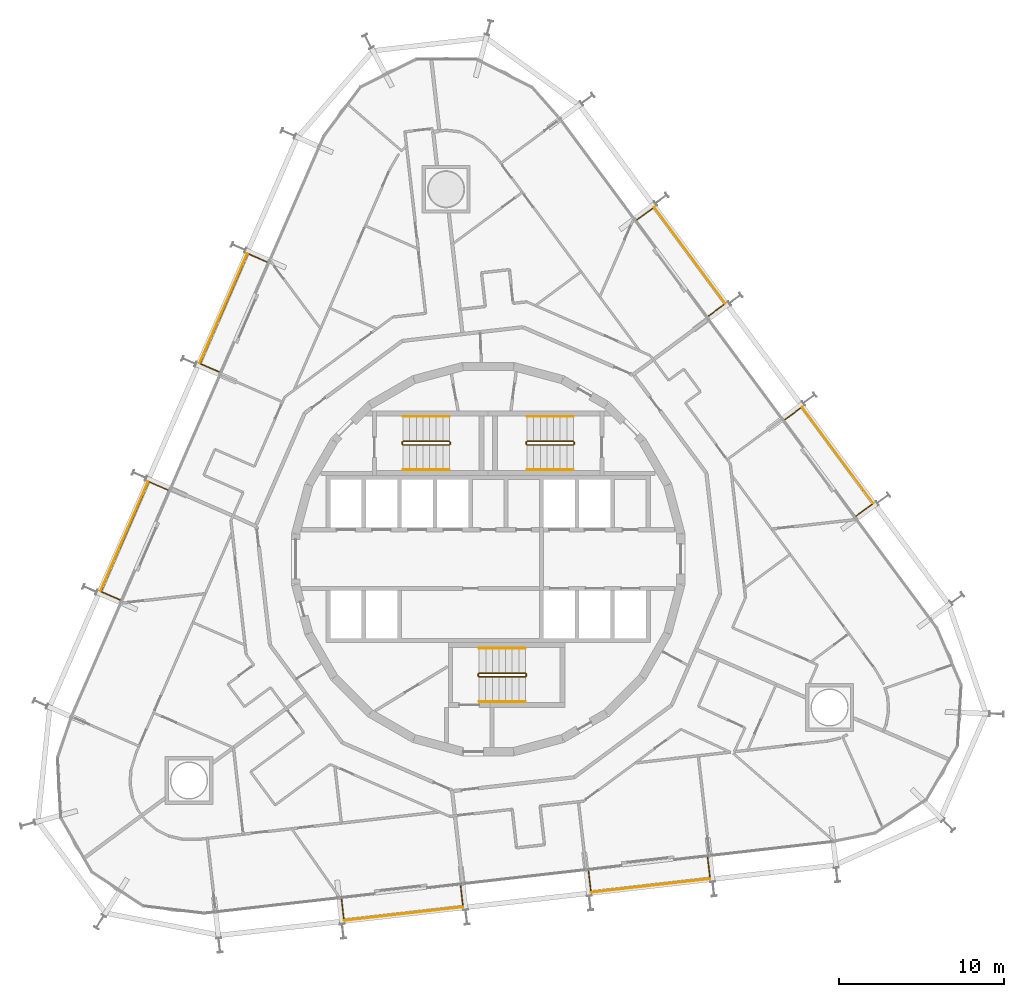
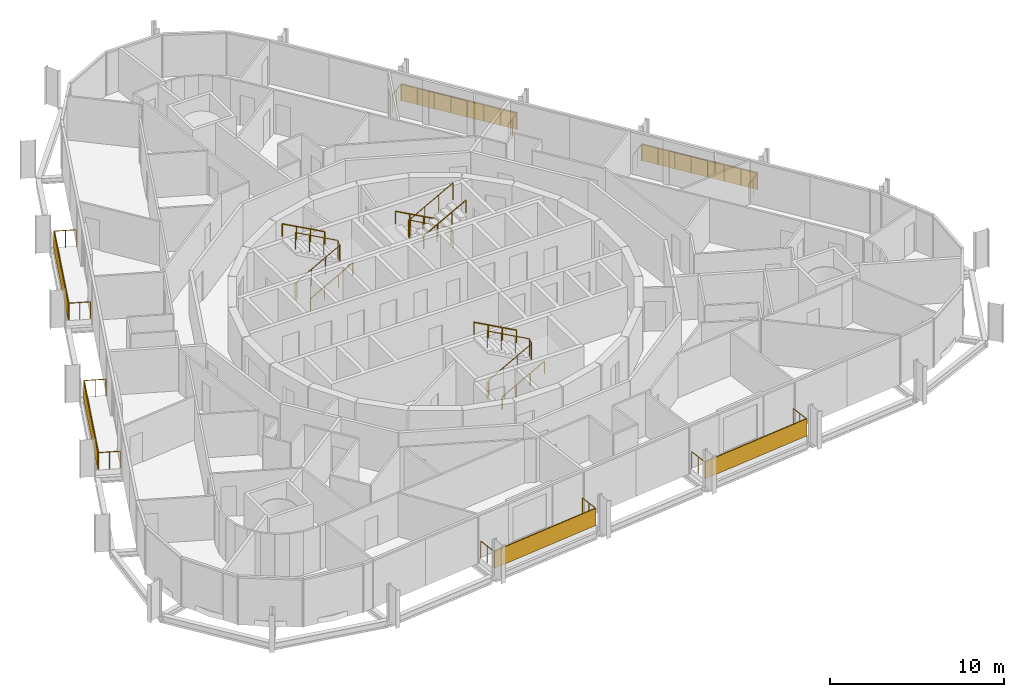
# One storey, part 23 of 23: 15 railings, 6 shading devices.
"""IFC4 building model written with IfcOpenShell, lengths in metres."""

from ifc_helpers import new_model, si_unit, direction, frame, origin, origin_2d, place, context, subcontext, project, spatial, rectangle, circle, extrude, material, layer, layer_set, type_object, element, save


model = new_model("IFC4")

# Units and contexts
model_context = context("Model", 3, precision=1e-05, world=origin(), true_north=direction((0.0, 1.0)))
body_context = subcontext(model_context, "Body", "Model", "MODEL_VIEW")
ifc_project = project(units=[si_unit("LENGTHUNIT", "METRE"), si_unit("AREAUNIT", "SQUARE_METRE"), si_unit("VOLUMEUNIT", "CUBIC_METRE"), si_unit("PLANEANGLEUNIT", "RADIAN"), si_unit("MASSUNIT", "GRAM", prefix="KILO")], contexts=[model_context])

# Site, building, storey
site_placement = place(None, origin())
site = spatial("IfcSite", under=ifc_project, at=site_placement, CompositionType="ELEMENT")
building_placement = place(site_placement, origin())
building = spatial("IfcBuilding", under=site, at=building_placement, Name="Spindle Arch Residences", CompositionType="ELEMENT")
storey_placement = place(building_placement, frame((0.0, 0.0, 104.699951171875)))
storey = spatial("IfcBuildingStorey", under=building, at=storey_placement, Name="L25", CompositionType="ELEMENT", Elevation=104.699951171875)

# Railings
ifc_material_1 = material(Name="Bronze anodised aluminium guard with glass infill", Category="aluminium")
railing_type_1 = type_object("IfcRailingType", Name="Balcony guard 1200", PredefinedType="GUARDRAIL", material=ifc_material_1)
railing_1_placement = place(storey_placement, frame((6.07080078125, -18.881591796875, 0.0)))
element("IfcRailing", 1, at=railing_1_placement, inside=storey, type_object=railing_type_1, Name="Guard L25 bay 1", PredefinedType="GUARDRAIL", context=body_context, shape_type="SweptSolid", body=[
    extrude(circle(Radius=0.02392578125, at=origin_2d()), frame((0.0, 0.0, 1.17578125), z_axis=(0.11328218126, -0.993562855289, 0.0), x_axis=(0.993562855289, 0.11328218126, 0.0)), (0.0, 0.0, 1.0), 1.25),
    extrude(circle(Radius=0.02392578125, at=origin_2d()), frame((0.1416015625, -1.241943359375, 1.17578125), z_axis=(0.993572236179, 0.113199874095, 0.0), x_axis=(-0.113199874095, 0.993572236179, 0.0)), (0.0, 0.0, 1.0), 7.248779296875),
    extrude(circle(Radius=0.02392578125, at=origin_2d()), frame((7.34375, -0.42138671875, 1.17578125), z_axis=(-0.113089367196, 0.993584820248, 0.0), x_axis=(-0.993584820248, -0.113089367196, 0.0)), (0.0, 0.0, 1.0), 1.25),
    extrude(circle(Radius=0.02099609375, at=origin_2d()), origin(), (0.0, 0.0, 1.0), 1.15185546875),
    extrude(circle(Radius=0.02099609375, at=origin_2d()), frame((0.07080078125, -0.62109375, 0.0)), (0.0, 0.0, 1.0), 1.15185546875),
    extrude(circle(Radius=0.02099609375, at=origin_2d()), frame((0.1416015625, -1.241943359375, 0.0)), (0.0, 0.0, 1.0), 1.15185546875),
    extrude(circle(Radius=0.02099609375, at=origin_2d()), frame((1.17041015625, -1.124755859375, 0.0)), (0.0, 0.0, 1.0), 1.15185546875),
    extrude(circle(Radius=0.02099609375, at=origin_2d()), frame((2.199462890625, -1.007568359375, 0.0)), (0.0, 0.0, 1.0), 1.15185546875),
    extrude(circle(Radius=0.02099609375, at=origin_2d()), frame((3.228271484375, -0.890380859375, 0.0)), (0.0, 0.0, 1.0), 1.15185546875),
    extrude(circle(Radius=0.02099609375, at=origin_2d()), frame((4.257080078125, -0.77294921875, 0.0)), (0.0, 0.0, 1.0), 1.15185546875),
    extrude(circle(Radius=0.02099609375, at=origin_2d()), frame((5.285888671875, -0.65576171875, 0.0)), (0.0, 0.0, 1.0), 1.15185546875),
    extrude(circle(Radius=0.02099609375, at=origin_2d()), frame((6.31494140625, -0.53857421875, 0.0)), (0.0, 0.0, 1.0), 1.15185546875),
    extrude(circle(Radius=0.02099609375, at=origin_2d()), frame((7.34375, -0.42138671875, 0.0)), (0.0, 0.0, 1.0), 1.15185546875),
    extrude(circle(Radius=0.02099609375, at=origin_2d()), frame((7.27294921875, 0.19970703125, 0.0)), (0.0, 0.0, 1.0), 1.15185546875),
    extrude(circle(Radius=0.02099609375, at=origin_2d()), frame((7.202392578125, 0.820556640625, 0.0)), (0.0, 0.0, 1.0), 1.15185546875),
])
railing_2_placement = place(storey_placement, frame((22.26123046875, 2.6103515625, 0.0)))
element("IfcRailing", 2, at=railing_2_placement, inside=storey, type_object=railing_type_1, Name="Guard L25 bay 7", PredefinedType="GUARDRAIL", context=body_context, shape_type="SweptSolid", body=[
    extrude(circle(Radius=0.02392578125, at=origin_2d()), frame((0.0, 0.0, 1.17578125), z_axis=(0.803920341668, 0.594736987459, 0.0), x_axis=(-0.594736987459, 0.803920341668, 0.0)), (0.0, 0.0, 1.0), 1.25),
    extrude(circle(Radius=0.02392578125, at=origin_2d()), frame((1.0048828125, 0.743408203125, 1.17578125), z_axis=(-0.594814278624, 0.803863156231, 0.0), x_axis=(-0.803863156231, -0.594814278624, 0.0)), (0.0, 0.0, 1.0), 7.2490234375),
    extrude(circle(Radius=0.02392578125, at=origin_2d()), frame((-3.306884765625, 6.570556640625, 1.17578125), z_axis=(-0.803826957932, -0.594863195787, 0.0), x_axis=(0.594863195787, -0.803826957932, 0.0)), (0.0, 0.0, 1.0), 1.250244140625),
    extrude(circle(Radius=0.02099609375, at=origin_2d()), origin(), (0.0, 0.0, 1.0), 1.15185546875),
    extrude(circle(Radius=0.02099609375, at=origin_2d()), frame((0.50244140625, 0.37158203125, 0.0)), (0.0, 0.0, 1.0), 1.15185546875),
    extrude(circle(Radius=0.02099609375, at=origin_2d()), frame((1.0048828125, 0.743408203125, 0.0)), (0.0, 0.0, 1.0), 1.15185546875),
    extrude(circle(Radius=0.02099609375, at=origin_2d()), frame((0.388916015625, 1.575927734375, 0.0)), (0.0, 0.0, 1.0), 1.15185546875),
    extrude(circle(Radius=0.02099609375, at=origin_2d()), frame((-0.22705078125, 2.408203125, 0.0)), (0.0, 0.0, 1.0), 1.15185546875),
    extrude(circle(Radius=0.02099609375, at=origin_2d()), frame((-0.843017578125, 3.24072265625, 0.0)), (0.0, 0.0, 1.0), 1.15185546875),
    extrude(circle(Radius=0.02099609375, at=origin_2d()), frame((-1.458984375, 4.0732421875, 0.0)), (0.0, 0.0, 1.0), 1.15185546875),
    extrude(circle(Radius=0.02099609375, at=origin_2d()), frame((-2.074951171875, 4.90576171875, 0.0)), (0.0, 0.0, 1.0), 1.15185546875),
    extrude(circle(Radius=0.02099609375, at=origin_2d()), frame((-2.69091796875, 5.738037109375, 0.0)), (0.0, 0.0, 1.0), 1.15185546875),
    extrude(circle(Radius=0.02099609375, at=origin_2d()), frame((-3.306884765625, 6.570556640625, 0.0)), (0.0, 0.0, 1.0), 1.15185546875),
    extrude(circle(Radius=0.02099609375, at=origin_2d()), frame((-3.809326171875, 6.19873046875, 0.0)), (0.0, 0.0, 1.0), 1.15185546875),
    extrude(circle(Radius=0.02099609375, at=origin_2d()), frame((-4.311767578125, 5.826904296875, 0.0)), (0.0, 0.0, 1.0), 1.15185546875),
])
railing_3_placement = place(storey_placement, frame((13.316650390625, 14.698486328125, 0.0)))
element("IfcRailing", 3, at=railing_3_placement, inside=storey, type_object=railing_type_1, Name="Guard L25 bay 9", PredefinedType="GUARDRAIL", context=body_context, shape_type="SweptSolid", body=[
    extrude(circle(Radius=0.02392578125, at=origin_2d()), frame((0.0, 0.0, 1.17578125), z_axis=(0.803851239792, 0.594830382786, 0.0), x_axis=(-0.594830382786, 0.803851239792, 0.0)), (0.0, 0.0, 1.0), 1.249755859375),
    extrude(circle(Radius=0.02392578125, at=origin_2d()), frame((1.004638671875, 0.743408203125, 1.17578125), z_axis=(-0.594830382786, 0.803851239792, 0.0), x_axis=(-0.803851239792, -0.594830382786, 0.0)), (0.0, 0.0, 1.0), 7.248779296875),
    extrude(circle(Radius=0.02392578125, at=origin_2d()), frame((-3.30712890625, 6.5703125, 1.17578125), z_axis=(-0.803851239792, -0.594830382786, 0.0), x_axis=(0.594830382786, -0.803851239792, 0.0)), (0.0, 0.0, 1.0), 1.249755859375),
    extrude(circle(Radius=0.02099609375, at=origin_2d()), origin(), (0.0, 0.0, 1.0), 1.15185546875),
    extrude(circle(Radius=0.02099609375, at=origin_2d()), frame((0.50244140625, 0.37158203125, 0.0)), (0.0, 0.0, 1.0), 1.15185546875),
    extrude(circle(Radius=0.02099609375, at=origin_2d()), frame((1.004638671875, 0.743408203125, 0.0)), (0.0, 0.0, 1.0), 1.15185546875),
    extrude(circle(Radius=0.02099609375, at=origin_2d()), frame((0.388671875, 1.575927734375, 0.0)), (0.0, 0.0, 1.0), 1.15185546875),
    extrude(circle(Radius=0.02099609375, at=origin_2d()), frame((-0.227294921875, 2.408203125, 0.0)), (0.0, 0.0, 1.0), 1.15185546875),
    extrude(circle(Radius=0.02099609375, at=origin_2d()), frame((-0.84326171875, 3.24072265625, 0.0)), (0.0, 0.0, 1.0), 1.15185546875),
    extrude(circle(Radius=0.02099609375, at=origin_2d()), frame((-1.459228515625, 4.072998046875, 0.0)), (0.0, 0.0, 1.0), 1.15185546875),
    extrude(circle(Radius=0.02099609375, at=origin_2d()), frame((-2.0751953125, 4.905517578125, 0.0)), (0.0, 0.0, 1.0), 1.15185546875),
    extrude(circle(Radius=0.02099609375, at=origin_2d()), frame((-2.691162109375, 5.73779296875, 0.0)), (0.0, 0.0, 1.0), 1.15185546875),
    extrude(circle(Radius=0.02099609375, at=origin_2d()), frame((-3.30712890625, 6.5703125, 0.0)), (0.0, 0.0, 1.0), 1.15185546875),
    extrude(circle(Radius=0.02099609375, at=origin_2d()), frame((-3.8095703125, 6.19873046875, 0.0)), (0.0, 0.0, 1.0), 1.15185546875),
    extrude(circle(Radius=0.02099609375, at=origin_2d()), frame((-4.311767578125, 5.826904296875, 0.0)), (0.0, 0.0, 1.0), 1.15185546875),
])
railing_4_placement = place(storey_placement, frame((-13.39111328125, 17.9736328125, 0.0)))
element("IfcRailing", 4, at=railing_4_placement, inside=storey, type_object=railing_type_1, Name="Guard L25 bay 15", PredefinedType="GUARDRAIL", context=body_context, shape_type="SweptSolid", body=[
    extrude(circle(Radius=0.02392578125, at=origin_2d()), frame((0.0, 0.0, 1.17578125), z_axis=(-0.917051427253, 0.398768955377, 0.0), x_axis=(-0.398768955377, -0.917051427253, 0.0)), (0.0, 0.0, 1.0), 1.250244140625),
    extrude(circle(Radius=0.02392578125, at=origin_2d()), frame((-1.146484375, 0.49853515625, 1.17578125), z_axis=(-0.398734732131, -0.917066308067, 0.0), x_axis=(0.917066308067, -0.398734732131, 0.0)), (0.0, 0.0, 1.0), 7.248779296875),
    extrude(circle(Radius=0.02392578125, at=origin_2d()), frame((-4.036865234375, -6.149169921875, 1.17578125), z_axis=(0.917091793142, -0.398676112844, 0.0), x_axis=(0.398676112844, 0.917091793142, 0.0)), (0.0, 0.0, 1.0), 1.249755859375),
    extrude(circle(Radius=0.02099609375, at=origin_2d()), origin(), (0.0, 0.0, 1.0), 1.15185546875),
    extrude(circle(Radius=0.02099609375, at=origin_2d()), frame((-0.5732421875, 0.249267578125, 0.0)), (0.0, 0.0, 1.0), 1.15185546875),
    extrude(circle(Radius=0.02099609375, at=origin_2d()), frame((-1.146484375, 0.49853515625, 0.0)), (0.0, 0.0, 1.0), 1.15185546875),
    extrude(circle(Radius=0.02099609375, at=origin_2d()), frame((-1.559326171875, -0.451171875, 0.0)), (0.0, 0.0, 1.0), 1.15185546875),
    extrude(circle(Radius=0.02099609375, at=origin_2d()), frame((-1.972412109375, -1.40087890625, 0.0)), (0.0, 0.0, 1.0), 1.15185546875),
    extrude(circle(Radius=0.02099609375, at=origin_2d()), frame((-2.38525390625, -2.3505859375, 0.0)), (0.0, 0.0, 1.0), 1.15185546875),
    extrude(circle(Radius=0.02099609375, at=origin_2d()), frame((-2.798095703125, -3.300048828125, 0.0)), (0.0, 0.0, 1.0), 1.15185546875),
    extrude(circle(Radius=0.02099609375, at=origin_2d()), frame((-3.2109375, -4.249755859375, 0.0)), (0.0, 0.0, 1.0), 1.15185546875),
    extrude(circle(Radius=0.02099609375, at=origin_2d()), frame((-3.6240234375, -5.199462890625, 0.0)), (0.0, 0.0, 1.0), 1.15185546875),
    extrude(circle(Radius=0.02099609375, at=origin_2d()), frame((-4.036865234375, -6.149169921875, 0.0)), (0.0, 0.0, 1.0), 1.15185546875),
    extrude(circle(Radius=0.02099609375, at=origin_2d()), frame((-3.4638671875, -6.3984375, 0.0)), (0.0, 0.0, 1.0), 1.15185546875),
    extrude(circle(Radius=0.02099609375, at=origin_2d()), frame((-2.890625, -6.6474609375, 0.0)), (0.0, 0.0, 1.0), 1.15185546875),
])
railing_5_placement = place(storey_placement, frame((-19.387451171875, 4.183349609375, 0.0)))
element("IfcRailing", 5, at=railing_5_placement, inside=storey, type_object=railing_type_1, Name="Guard L25 bay 17", PredefinedType="GUARDRAIL", context=body_context, shape_type="SweptSolid", body=[
    extrude(circle(Radius=0.02392578125, at=origin_2d()), frame((0.0, 0.0, 1.17578125), z_axis=(-0.917091793142, 0.398676112844, 0.0), x_axis=(-0.398676112844, -0.917091793142, 0.0)), (0.0, 0.0, 1.0), 1.249755859375),
    extrude(circle(Radius=0.02392578125, at=origin_2d()), frame((-1.146240234375, 0.498291015625, 1.17578125), z_axis=(-0.39877537304, -0.917048636582, 0.0), x_axis=(0.917048636582, -0.39877537304, 0.0)), (0.0, 0.0, 1.0), 7.248779296875),
    extrude(circle(Radius=0.02392578125, at=origin_2d()), frame((-4.036865234375, -6.149169921875, 1.17578125), z_axis=(0.917051427253, -0.398768955377, 0.0), x_axis=(0.398768955377, 0.917051427253, 0.0)), (0.0, 0.0, 1.0), 1.250244140625),
    extrude(circle(Radius=0.02099609375, at=origin_2d()), origin(), (0.0, 0.0, 1.0), 1.15185546875),
    extrude(circle(Radius=0.02099609375, at=origin_2d()), frame((-0.5732421875, 0.2490234375, 0.0)), (0.0, 0.0, 1.0), 1.15185546875),
    extrude(circle(Radius=0.02099609375, at=origin_2d()), frame((-1.146240234375, 0.498291015625, 0.0)), (0.0, 0.0, 1.0), 1.15185546875),
    extrude(circle(Radius=0.02099609375, at=origin_2d()), frame((-1.55908203125, -0.451416015625, 0.0)), (0.0, 0.0, 1.0), 1.15185546875),
    extrude(circle(Radius=0.02099609375, at=origin_2d()), frame((-1.97216796875, -1.40087890625, 0.0)), (0.0, 0.0, 1.0), 1.15185546875),
    extrude(circle(Radius=0.02099609375, at=origin_2d()), frame((-2.385009765625, -2.3505859375, 0.0)), (0.0, 0.0, 1.0), 1.15185546875),
    extrude(circle(Radius=0.02099609375, at=origin_2d()), frame((-2.798095703125, -3.30029296875, 0.0)), (0.0, 0.0, 1.0), 1.15185546875),
    extrude(circle(Radius=0.02099609375, at=origin_2d()), frame((-3.2109375, -4.25, 0.0)), (0.0, 0.0, 1.0), 1.15185546875),
    extrude(circle(Radius=0.02099609375, at=origin_2d()), frame((-3.6240234375, -5.199462890625, 0.0)), (0.0, 0.0, 1.0), 1.15185546875),
    extrude(circle(Radius=0.02099609375, at=origin_2d()), frame((-4.036865234375, -6.149169921875, 0.0)), (0.0, 0.0, 1.0), 1.15185546875),
    extrude(circle(Radius=0.02099609375, at=origin_2d()), frame((-3.463623046875, -6.3984375, 0.0)), (0.0, 0.0, 1.0), 1.15185546875),
    extrude(circle(Radius=0.02099609375, at=origin_2d()), frame((-2.890380859375, -6.647705078125, 0.0)), (0.0, 0.0, 1.0), 1.15185546875),
])
railing_6_placement = place(storey_placement, frame((-8.8701171875, -20.583984375, 0.0)))
element("IfcRailing", 6, at=railing_6_placement, inside=storey, type_object=railing_type_1, Name="Guard L25 bay 23", PredefinedType="GUARDRAIL", context=body_context, shape_type="SweptSolid", body=[
    extrude(circle(Radius=0.02392578125, at=origin_2d()), frame((0.0, 0.0, 1.17578125), z_axis=(0.11328218126, -0.993562855289, 0.0), x_axis=(0.993562855289, 0.11328218126, 0.0)), (0.0, 0.0, 1.0), 1.25),
    extrude(circle(Radius=0.02392578125, at=origin_2d()), frame((0.1416015625, -1.241943359375, 1.17578125), z_axis=(0.993572236179, 0.113199874095, 0.0), x_axis=(-0.113199874095, 0.993572236179, 0.0)), (0.0, 0.0, 1.0), 7.248779296875),
    extrude(circle(Radius=0.02392578125, at=origin_2d()), frame((7.34375, -0.42138671875, 1.17578125), z_axis=(-0.11328218126, 0.993562855289, 0.0), x_axis=(-0.993562855289, -0.11328218126, 0.0)), (0.0, 0.0, 1.0), 1.25),
    extrude(circle(Radius=0.02099609375, at=origin_2d()), origin(), (0.0, 0.0, 1.0), 1.15185546875),
    extrude(circle(Radius=0.02099609375, at=origin_2d()), frame((0.07080078125, -0.62109375, 0.0)), (0.0, 0.0, 1.0), 1.15185546875),
    extrude(circle(Radius=0.02099609375, at=origin_2d()), frame((0.1416015625, -1.241943359375, 0.0)), (0.0, 0.0, 1.0), 1.15185546875),
    extrude(circle(Radius=0.02099609375, at=origin_2d()), frame((1.17041015625, -1.124755859375, 0.0)), (0.0, 0.0, 1.0), 1.15185546875),
    extrude(circle(Radius=0.02099609375, at=origin_2d()), frame((2.199462890625, -1.007568359375, 0.0)), (0.0, 0.0, 1.0), 1.15185546875),
    extrude(circle(Radius=0.02099609375, at=origin_2d()), frame((3.228271484375, -0.890380859375, 0.0)), (0.0, 0.0, 1.0), 1.15185546875),
    extrude(circle(Radius=0.02099609375, at=origin_2d()), frame((4.257080078125, -0.77294921875, 0.0)), (0.0, 0.0, 1.0), 1.15185546875),
    extrude(circle(Radius=0.02099609375, at=origin_2d()), frame((5.285888671875, -0.65576171875, 0.0)), (0.0, 0.0, 1.0), 1.15185546875),
    extrude(circle(Radius=0.02099609375, at=origin_2d()), frame((6.31494140625, -0.53857421875, 0.0)), (0.0, 0.0, 1.0), 1.15185546875),
    extrude(circle(Radius=0.02099609375, at=origin_2d()), frame((7.34375, -0.42138671875, 0.0)), (0.0, 0.0, 1.0), 1.15185546875),
    extrude(circle(Radius=0.02099609375, at=origin_2d()), frame((7.27294921875, 0.19970703125, 0.0)), (0.0, 0.0, 1.0), 1.15185546875),
    extrude(circle(Radius=0.02099609375, at=origin_2d()), frame((7.2021484375, 0.820556640625, 0.0)), (0.0, 0.0, 1.0), 1.15185546875),
])

# Shading devices
ifc_material_2 = material(Name="Bronze perforated cobogo screen")
ifc_layer = layer(ifc_material_2, 0.0390625)
ifc_layer_set = layer_set([ifc_layer], Name="Cobogo screen 1200")
shading_device_type = type_object("IfcShadingDeviceType", Name="Cobogo screen 1200", PredefinedType="USERDEFINED", material=ifc_layer_set)
for number, where, z_axis, x_axis, name in (
    (7, (9.818115234375, -19.753662109375, 0.0), (0.0, 0.0, 1.0), (0.993571855677, 0.113203213768, 0.0), "Cobogo screen L25 bay 1"),
    (8, (21.142822265625, 6.29150390625, 0.0), (0.0, 0.0, 1.0), (-0.594822786751, 0.803856860617, 0.0), "Cobogo screen L25 bay 7"),
    (9, (12.197998046875, 18.37939453125, 0.0), (0.0, 0.0, 1.0), (-0.594822786751, 0.803856860617, 0.0), "Cobogo screen L25 bay 9"),
    (10, (-16.019775390625, 15.16455078125, 0.0), (0.0, 0.0, 1.0), (-0.398749068925, -0.917060074385, 0.0), "Cobogo screen L25 bay 15"),
    (11, (-22.01611328125, 1.3740234375, 0.0), (0.0, 0.0, 1.0), (-0.398749068925, -0.917060074385, 0.0), "Cobogo screen L25 bay 17"),
    (12, (-5.122802734375, -21.455810546875, 0.0), (0.0, 0.0, 1.0), (0.993571855677, 0.113203213768, 0.0), "Cobogo screen L25 bay 23"),
):
    element("IfcShadingDevice", number, at=place(storey_placement, frame(where, z_axis=z_axis, x_axis=x_axis)), inside=storey, type_object=shading_device_type, Name=name, ObjectType="SCREEN", PredefinedType="USERDEFINED", context=body_context, shape_type="SweptSolid", body=[
        extrude(rectangle(XDim=7.248779296875, YDim=0.0390625, at=origin_2d()), origin(), (0.0, 0.0, 1.0), 1.199951171875),
    ])

# Railings
ifc_material_3 = material(Name="Steel, painted", Category="steel")
railing_type_2 = type_object("IfcRailingType", Name="Stair guard 1100", PredefinedType="GUARDRAIL", material=ifc_material_3)
railing_7_placement = place(storey_placement, frame((5.14990234375, 6.89990234375, 3.5)))
element("IfcRailing", 13, at=railing_7_placement, inside=storey, type_object=railing_type_2, Name="L25 ST1 stair guard 1", PredefinedType="GUARDRAIL", context=body_context, shape_type="SweptSolid", body=[
    extrude(circle(Radius=0.02392578125, at=origin_2d()), frame((0.0, 0.0, 1.17578125), z_axis=(-0.877357048833, 0.0, -0.479838106931), x_axis=(0.0, -1.0, 0.0)), (0.0, 0.0, 1.0), 3.191162109375),
    extrude(circle(Radius=0.02392578125, at=origin_2d()), frame((-2.7998046875, 0.0, -0.35546875), z_axis=(-0.217683172539, 0.217683172539, -0.951434744366), x_axis=(-0.707106781187, -0.707106781187, 0.0)), (0.0, 0.0, 1.0), 0.22998046875),
    extrude(circle(Radius=0.02392578125, at=origin_2d()), frame((-2.849853515625, 0.050048828125, -0.57421875), z_axis=(0.0, 1.0, 0.0), x_axis=(-1.0, 0.0, 0.0)), (0.0, 0.0, 1.0), 0.1201171875),
    extrude(circle(Radius=0.02392578125, at=origin_2d()), frame((-2.849853515625, 0.170166015625, -0.57421875), z_axis=(0.707106781187, 0.707106781187, 0.0), x_axis=(-0.707106781187, 0.707106781187, 0.0)), (0.0, 0.0, 1.0), 0.07080078125),
    extrude(circle(Radius=0.02392578125, at=origin_2d()), frame((-2.7998046875, 0.22021484375, -0.57421875), z_axis=(0.877357048833, 0.0, -0.479838106931), x_axis=(0.0, 1.0, 0.0)), (0.0, 0.0, 1.0), 3.191162109375),
    extrude(circle(Radius=0.02392578125, at=origin_2d()), frame((0.0, 0.22021484375, -2.10546875), z_axis=(0.217683172539, -0.217683172539, -0.951434744366), x_axis=(0.707106781187, 0.707106781187, 0.0)), (0.0, 0.0, 1.0), 0.22998046875),
    extrude(circle(Radius=0.02392578125, at=origin_2d()), frame((0.050048828125, 0.170166015625, -2.32421875), z_axis=(0.0, -1.0, 0.0), x_axis=(1.0, 0.0, 0.0)), (0.0, 0.0, 1.0), 0.1201171875),
    extrude(circle(Radius=0.02099609375, at=origin_2d()), origin(), (0.0, 0.0, 1.0), 1.15185546875),
    extrude(circle(Radius=0.02099609375, at=origin_2d()), frame((-0.933349609375, 0.0, -0.510498046875)), (0.0, 0.0, 1.0), 1.15185546875),
    extrude(circle(Radius=0.02099609375, at=origin_2d()), frame((-1.866455078125, 0.0, -1.020751953125)), (0.0, 0.0, 1.0), 1.15185546875),
    extrude(circle(Radius=0.02099609375, at=origin_2d()), frame((-2.7998046875, 0.0, -1.53125)), (0.0, 0.0, 1.0), 1.15185546875),
    extrude(circle(Radius=0.02099609375, at=origin_2d()), frame((-2.849853515625, 0.050048828125, -1.75)), (0.0, 0.0, 1.0), 1.15185546875),
    extrude(circle(Radius=0.02099609375, at=origin_2d()), frame((-2.849853515625, 0.170166015625, -1.75)), (0.0, 0.0, 1.0), 1.15185546875),
    extrude(circle(Radius=0.02099609375, at=origin_2d()), frame((-2.7998046875, 0.22021484375, -1.75)), (0.0, 0.0, 1.0), 1.15185546875),
    extrude(circle(Radius=0.02099609375, at=origin_2d()), frame((-1.866455078125, 0.22021484375, -2.260498046875)), (0.0, 0.0, 1.0), 1.15185546875),
    extrude(circle(Radius=0.02099609375, at=origin_2d()), frame((-0.933349609375, 0.22021484375, -2.770751953125)), (0.0, 0.0, 1.0), 1.15185546875),
    extrude(circle(Radius=0.02099609375, at=origin_2d()), frame((0.0, 0.22021484375, -3.28125)), (0.0, 0.0, 1.0), 1.15185546875),
    extrude(circle(Radius=0.02099609375, at=origin_2d()), frame((0.050048828125, 0.170166015625, -3.5)), (0.0, 0.0, 1.0), 1.15185546875),
    extrude(circle(Radius=0.02099609375, at=origin_2d()), frame((0.050048828125, 0.050048828125, -3.5)), (0.0, 0.0, 1.0), 1.15185546875),
])
railing_8_placement = place(storey_placement, frame((-5.14990234375, 7.1201171875, 3.5)))
element("IfcRailing", 14, at=railing_8_placement, inside=storey, type_object=railing_type_2, Name="L25 ST2 stair guard 1", PredefinedType="GUARDRAIL", context=body_context, shape_type="SweptSolid", body=[
    extrude(circle(Radius=0.02392578125, at=origin_2d()), frame((0.0, 0.0, 1.17578125), z_axis=(0.877357048833, 0.0, -0.479838106931), x_axis=(0.0, 1.0, 0.0)), (0.0, 0.0, 1.0), 3.191162109375),
    extrude(circle(Radius=0.02392578125, at=origin_2d()), frame((2.7998046875, 0.0, -0.35546875), z_axis=(0.217683172539, -0.217683172539, -0.951434744366), x_axis=(0.707106781187, 0.707106781187, 0.0)), (0.0, 0.0, 1.0), 0.22998046875),
    extrude(circle(Radius=0.02392578125, at=origin_2d()), frame((2.849853515625, -0.050048828125, -0.57421875), z_axis=(0.0, -1.0, 0.0), x_axis=(1.0, 0.0, 0.0)), (0.0, 0.0, 1.0), 0.1201171875),
    extrude(circle(Radius=0.02392578125, at=origin_2d()), frame((2.849853515625, -0.170166015625, -0.57421875), z_axis=(-0.707106781187, -0.707106781187, 0.0), x_axis=(0.707106781187, -0.707106781187, 0.0)), (0.0, 0.0, 1.0), 0.07080078125),
    extrude(circle(Radius=0.02392578125, at=origin_2d()), frame((2.7998046875, -0.22021484375, -0.57421875), z_axis=(-0.877357048833, 0.0, -0.479838106931), x_axis=(0.0, -1.0, 0.0)), (0.0, 0.0, 1.0), 3.191162109375),
    extrude(circle(Radius=0.02392578125, at=origin_2d()), frame((0.0, -0.22021484375, -2.10546875), z_axis=(-0.217683172539, 0.217683172539, -0.951434744366), x_axis=(-0.707106781187, -0.707106781187, 0.0)), (0.0, 0.0, 1.0), 0.22998046875),
    extrude(circle(Radius=0.02392578125, at=origin_2d()), frame((-0.050048828125, -0.170166015625, -2.32421875), z_axis=(0.0, 1.0, 0.0), x_axis=(-1.0, 0.0, 0.0)), (0.0, 0.0, 1.0), 0.1201171875),
    extrude(circle(Radius=0.02099609375, at=origin_2d()), origin(), (0.0, 0.0, 1.0), 1.15185546875),
    extrude(circle(Radius=0.02099609375, at=origin_2d()), frame((0.933349609375, 0.0, -0.510498046875)), (0.0, 0.0, 1.0), 1.15185546875),
    extrude(circle(Radius=0.02099609375, at=origin_2d()), frame((1.866455078125, 0.0, -1.020751953125)), (0.0, 0.0, 1.0), 1.15185546875),
    extrude(circle(Radius=0.02099609375, at=origin_2d()), frame((2.7998046875, 0.0, -1.53125)), (0.0, 0.0, 1.0), 1.15185546875),
    extrude(circle(Radius=0.02099609375, at=origin_2d()), frame((2.849853515625, -0.050048828125, -1.75)), (0.0, 0.0, 1.0), 1.15185546875),
    extrude(circle(Radius=0.02099609375, at=origin_2d()), frame((2.849853515625, -0.170166015625, -1.75)), (0.0, 0.0, 1.0), 1.15185546875),
    extrude(circle(Radius=0.02099609375, at=origin_2d()), frame((2.7998046875, -0.22021484375, -1.75)), (0.0, 0.0, 1.0), 1.15185546875),
    extrude(circle(Radius=0.02099609375, at=origin_2d()), frame((1.866455078125, -0.22021484375, -2.260498046875)), (0.0, 0.0, 1.0), 1.15185546875),
    extrude(circle(Radius=0.02099609375, at=origin_2d()), frame((0.933349609375, -0.22021484375, -2.770751953125)), (0.0, 0.0, 1.0), 1.15185546875),
    extrude(circle(Radius=0.02099609375, at=origin_2d()), frame((0.0, -0.22021484375, -3.28125)), (0.0, 0.0, 1.0), 1.15185546875),
    extrude(circle(Radius=0.02099609375, at=origin_2d()), frame((-0.050048828125, -0.170166015625, -3.5)), (0.0, 0.0, 1.0), 1.15185546875),
    extrude(circle(Radius=0.02099609375, at=origin_2d()), frame((-0.050048828125, -0.050048828125, -3.5)), (0.0, 0.0, 1.0), 1.15185546875),
])
railing_9_placement = place(storey_placement, frame((-0.550048828125, -6.89990234375, 3.5)))
element("IfcRailing", 15, at=railing_9_placement, inside=storey, type_object=railing_type_2, Name="L25 ST3 stair guard 1", PredefinedType="GUARDRAIL", context=body_context, shape_type="SweptSolid", body=[
    extrude(circle(Radius=0.02392578125, at=origin_2d()), frame((0.0, 0.0, 1.17578125), z_axis=(0.877374661878, 0.0, -0.479805901063), x_axis=(0.0, 1.0, 0.0)), (0.0, 0.0, 1.0), 3.19140625),
    extrude(circle(Radius=0.02392578125, at=origin_2d()), frame((2.800048828125, 0.0, -0.35546875), z_axis=(0.217683172539, -0.217683172539, -0.951434744366), x_axis=(0.707106781187, 0.707106781187, 0.0)), (0.0, 0.0, 1.0), 0.22998046875),
    extrude(circle(Radius=0.02392578125, at=origin_2d()), frame((2.85009765625, -0.050048828125, -0.57421875), z_axis=(0.0, -1.0, 0.0), x_axis=(1.0, 0.0, 0.0)), (0.0, 0.0, 1.0), 0.1201171875),
    extrude(circle(Radius=0.02392578125, at=origin_2d()), frame((2.85009765625, -0.170166015625, -0.57421875), z_axis=(-0.707106781187, -0.707106781187, 0.0), x_axis=(0.707106781187, -0.707106781187, 0.0)), (0.0, 0.0, 1.0), 0.07080078125),
    extrude(circle(Radius=0.02392578125, at=origin_2d()), frame((2.800048828125, -0.22021484375, -0.57421875), z_axis=(-0.877374661878, 0.0, -0.479805901063), x_axis=(0.0, -1.0, 0.0)), (0.0, 0.0, 1.0), 3.19140625),
    extrude(circle(Radius=0.02392578125, at=origin_2d()), frame((0.0, -0.22021484375, -2.10546875), z_axis=(-0.217683172539, 0.217683172539, -0.951434744366), x_axis=(-0.707106781187, -0.707106781187, 0.0)), (0.0, 0.0, 1.0), 0.22998046875),
    extrude(circle(Radius=0.02392578125, at=origin_2d()), frame((-0.050048828125, -0.170166015625, -2.32421875), z_axis=(0.0, 1.0, 0.0), x_axis=(-1.0, 0.0, 0.0)), (0.0, 0.0, 1.0), 0.1201171875),
    extrude(circle(Radius=0.02099609375, at=origin_2d()), origin(), (0.0, 0.0, 1.0), 1.15185546875),
    extrude(circle(Radius=0.02099609375, at=origin_2d()), frame((0.933349609375, 0.0, -0.510498046875)), (0.0, 0.0, 1.0), 1.15185546875),
    extrude(circle(Radius=0.02099609375, at=origin_2d()), frame((1.86669921875, 0.0, -1.020751953125)), (0.0, 0.0, 1.0), 1.15185546875),
    extrude(circle(Radius=0.02099609375, at=origin_2d()), frame((2.800048828125, 0.0, -1.53125)), (0.0, 0.0, 1.0), 1.15185546875),
    extrude(circle(Radius=0.02099609375, at=origin_2d()), frame((2.85009765625, -0.050048828125, -1.75)), (0.0, 0.0, 1.0), 1.15185546875),
    extrude(circle(Radius=0.02099609375, at=origin_2d()), frame((2.85009765625, -0.170166015625, -1.75)), (0.0, 0.0, 1.0), 1.15185546875),
    extrude(circle(Radius=0.02099609375, at=origin_2d()), frame((2.800048828125, -0.22021484375, -1.75)), (0.0, 0.0, 1.0), 1.15185546875),
    extrude(circle(Radius=0.02099609375, at=origin_2d()), frame((1.86669921875, -0.22021484375, -2.260498046875)), (0.0, 0.0, 1.0), 1.15185546875),
    extrude(circle(Radius=0.02099609375, at=origin_2d()), frame((0.933349609375, -0.22021484375, -2.770751953125)), (0.0, 0.0, 1.0), 1.15185546875),
    extrude(circle(Radius=0.02099609375, at=origin_2d()), frame((0.0, -0.22021484375, -3.28125)), (0.0, 0.0, 1.0), 1.15185546875),
    extrude(circle(Radius=0.02099609375, at=origin_2d()), frame((-0.050048828125, -0.170166015625, -3.5)), (0.0, 0.0, 1.0), 1.15185546875),
    extrude(circle(Radius=0.02099609375, at=origin_2d()), frame((-0.050048828125, -0.050048828125, -3.5)), (0.0, 0.0, 1.0), 1.15185546875),
])
ifc_material_4 = material(Name="Steel, painted", Category="steel")
railing_type_3 = type_object("IfcRailingType", Name="Stair handrail 900", PredefinedType="HANDRAIL", material=ifc_material_4)
railing_10_placement = place(storey_placement, frame((5.14990234375, 8.6201171875, 0.21875)))
element("IfcRailing", 16, at=railing_10_placement, inside=storey, type_object=railing_type_3, Name="L25 ST1 stair handrail 1", PredefinedType="HANDRAIL", context=body_context, shape_type="SweptSolid", body=[
    extrude(circle(Radius=0.02392578125, at=origin_2d()), frame((0.0, 0.0, 0.8759765625), z_axis=(-0.877357048833, 0.0, 0.479838106931), x_axis=(0.0, -1.0, 0.0)), (0.0, 0.0, 1.0), 3.191162109375),
    extrude(circle(Radius=0.02099609375, at=origin_2d()), origin(), (0.0, 0.0, 1.0), 0.851806640625),
    extrude(circle(Radius=0.02099609375, at=origin_2d()), frame((-0.933349609375, 0.0, 0.510498046875)), (0.0, 0.0, 1.0), 0.851806640625),
    extrude(circle(Radius=0.02099609375, at=origin_2d()), frame((-1.866455078125, 0.0, 1.020751953125)), (0.0, 0.0, 1.0), 0.851806640625),
    extrude(circle(Radius=0.02099609375, at=origin_2d()), frame((-2.7998046875, 0.0, 1.53125)), (0.0, 0.0, 1.0), 0.851806640625),
])
for number, where, name in (
    (17, (2.35009765625, 5.39990234375, 1.96875), "L25 ST1 stair handrail 2"),
    (18, (-5.14990234375, 5.39990234375, 0.21875), "L25 ST2 stair handrail 1"),
):
    element("IfcRailing", number, at=place(storey_placement, frame(where)), inside=storey, type_object=railing_type_3, Name=name, PredefinedType="HANDRAIL", context=body_context, shape_type="SweptSolid", body=[
        extrude(circle(Radius=0.02392578125, at=origin_2d()), frame((0.0, 0.0, 0.8759765625), z_axis=(0.877357048833, 0.0, 0.479838106931), x_axis=(0.0, 1.0, 0.0)), (0.0, 0.0, 1.0), 3.191162109375),
        extrude(circle(Radius=0.02099609375, at=origin_2d()), origin(), (0.0, 0.0, 1.0), 0.851806640625),
        extrude(circle(Radius=0.02099609375, at=origin_2d()), frame((0.933349609375, 0.0, 0.510498046875)), (0.0, 0.0, 1.0), 0.851806640625),
        extrude(circle(Radius=0.02099609375, at=origin_2d()), frame((1.866455078125, 0.0, 1.020751953125)), (0.0, 0.0, 1.0), 0.851806640625),
        extrude(circle(Radius=0.02099609375, at=origin_2d()), frame((2.7998046875, 0.0, 1.53125)), (0.0, 0.0, 1.0), 0.851806640625),
    ])
railing_11_placement = place(storey_placement, frame((-2.35009765625, 8.6201171875, 1.96875)))
element("IfcRailing", 19, at=railing_11_placement, inside=storey, type_object=railing_type_3, Name="L25 ST2 stair handrail 2", PredefinedType="HANDRAIL", context=body_context, shape_type="SweptSolid", body=[
    extrude(circle(Radius=0.02392578125, at=origin_2d()), frame((0.0, 0.0, 0.8759765625), z_axis=(-0.877357048833, 0.0, 0.479838106931), x_axis=(0.0, -1.0, 0.0)), (0.0, 0.0, 1.0), 3.191162109375),
    extrude(circle(Radius=0.02099609375, at=origin_2d()), origin(), (0.0, 0.0, 1.0), 0.851806640625),
    extrude(circle(Radius=0.02099609375, at=origin_2d()), frame((-0.933349609375, 0.0, 0.510498046875)), (0.0, 0.0, 1.0), 0.851806640625),
    extrude(circle(Radius=0.02099609375, at=origin_2d()), frame((-1.866455078125, 0.0, 1.020751953125)), (0.0, 0.0, 1.0), 0.851806640625),
    extrude(circle(Radius=0.02099609375, at=origin_2d()), frame((-2.7998046875, 0.0, 1.53125)), (0.0, 0.0, 1.0), 0.851806640625),
])
railing_12_placement = place(storey_placement, frame((-0.550048828125, -8.6201171875, 0.21875)))
element("IfcRailing", 20, at=railing_12_placement, inside=storey, type_object=railing_type_3, Name="L25 ST3 stair handrail 1", PredefinedType="HANDRAIL", context=body_context, shape_type="SweptSolid", body=[
    extrude(circle(Radius=0.02392578125, at=origin_2d()), frame((0.0, 0.0, 0.8759765625), z_axis=(0.877374661878, 0.0, 0.479805901063), x_axis=(0.0, 1.0, 0.0)), (0.0, 0.0, 1.0), 3.19140625),
    extrude(circle(Radius=0.02099609375, at=origin_2d()), origin(), (0.0, 0.0, 1.0), 0.851806640625),
    extrude(circle(Radius=0.02099609375, at=origin_2d()), frame((0.933349609375, 0.0, 0.510498046875)), (0.0, 0.0, 1.0), 0.851806640625),
    extrude(circle(Radius=0.02099609375, at=origin_2d()), frame((1.86669921875, 0.0, 1.020751953125)), (0.0, 0.0, 1.0), 0.851806640625),
    extrude(circle(Radius=0.02099609375, at=origin_2d()), frame((2.800048828125, 0.0, 1.53125)), (0.0, 0.0, 1.0), 0.851806640625),
])
railing_13_placement = place(storey_placement, frame((2.25, -5.39990234375, 1.96875)))
element("IfcRailing", 21, at=railing_13_placement, inside=storey, type_object=railing_type_3, Name="L25 ST3 stair handrail 2", PredefinedType="HANDRAIL", context=body_context, shape_type="SweptSolid", body=[
    extrude(circle(Radius=0.02392578125, at=origin_2d()), frame((0.0, 0.0, 0.8759765625), z_axis=(-0.877374661878, 0.0, 0.479805901063), x_axis=(0.0, -1.0, 0.0)), (0.0, 0.0, 1.0), 3.19140625),
    extrude(circle(Radius=0.02099609375, at=origin_2d()), origin(), (0.0, 0.0, 1.0), 0.851806640625),
    extrude(circle(Radius=0.02099609375, at=origin_2d()), frame((-0.933349609375, 0.0, 0.510498046875)), (0.0, 0.0, 1.0), 0.851806640625),
    extrude(circle(Radius=0.02099609375, at=origin_2d()), frame((-1.86669921875, 0.0, 1.020751953125)), (0.0, 0.0, 1.0), 0.851806640625),
    extrude(circle(Radius=0.02099609375, at=origin_2d()), frame((-2.800048828125, 0.0, 1.53125)), (0.0, 0.0, 1.0), 0.851806640625),
])

save(model, "model.ifc")
